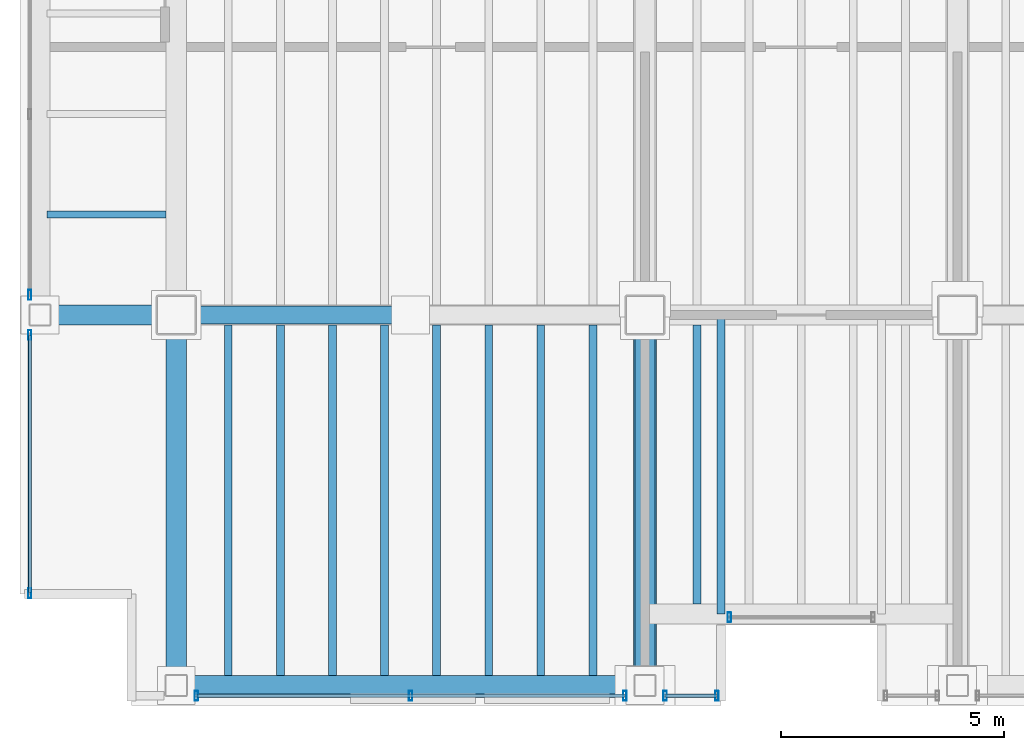
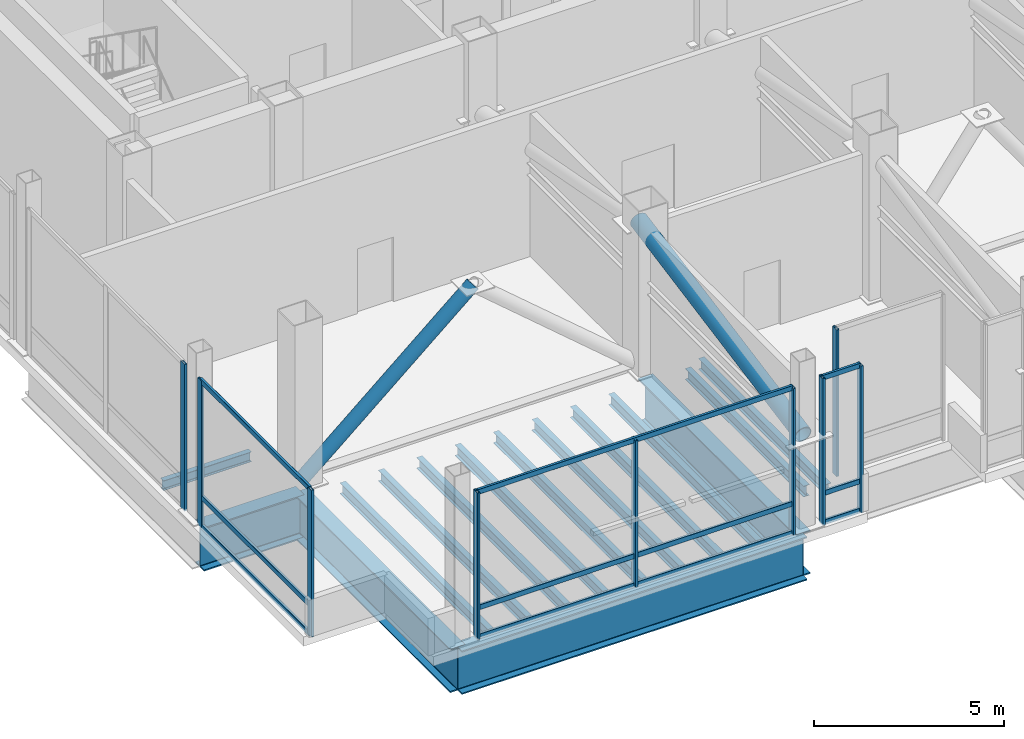
# One storey, part 2 of 18: 20 members, 15 beams, 5 elements without a shape of their own.
"""IFC4 building model written with IfcOpenShell, lengths in metres."""

from ifc_helpers import new_model, si_unit, direction, frame, origin, origin_2d, place, context, subcontext, project, spatial, hollow_rectangle, hollow_circle, i_section, extrude, material, material_profile, profile_set, type_object, element, aggregate, save


model = new_model("IFC4")

# Units and contexts
model_context = context("Model", 3, precision=1e-05, world=origin(), true_north=direction((0.0, 1.0)))
body_context = subcontext(model_context, "Body", "Model", "MODEL_VIEW")
ifc_project = project(units=[si_unit("LENGTHUNIT", "METRE"), si_unit("AREAUNIT", "SQUARE_METRE"), si_unit("VOLUMEUNIT", "CUBIC_METRE"), si_unit("PLANEANGLEUNIT", "RADIAN"), si_unit("MASSUNIT", "GRAM", prefix="KILO")], contexts=[model_context])

# Site, building, storey
site_placement = place(None, origin())
site = spatial("IfcSite", under=ifc_project, at=site_placement, CompositionType="ELEMENT")
building_placement = place(site_placement, origin())
building = spatial("IfcBuilding", under=site, at=building_placement, Name="Noeulbin Bourse Tower", CompositionType="ELEMENT")
storey_placement = place(building_placement, frame((0.0, 0.0, 200.699951171875)))
storey = spatial("IfcBuildingStorey", under=building, at=storey_placement, Name="L50", CompositionType="ELEMENT", Elevation=200.699951171875)

# Beams
ifc_material_1 = material(Name="Steel S355", Category="steel")
ifc_material_profile_1 = material_profile(ifc_material_1, i_section(OverallWidth=0.159912109375, OverallDepth=0.320068359375, WebThickness=0.006591796875, FlangeThickness=0.010009765625, FilletRadius=0.012939453125, at=origin_2d()), Name="H-320x160x6.5x10", Category="LoadBearing")
ifc_profile_set_1 = profile_set([ifc_material_profile_1], Name="Steel S355")
beam_type_1 = type_object("IfcBeamType", Name="BM-JST-320", PredefinedType="JOIST", material=ifc_profile_set_1)
beam_1_placement = place(storey_placement, frame((10.60009765625, 22.25, -0.4599609375), z_axis=(1.0, 0.0, 0.0), x_axis=(0.0, 1.0, 0.0)))
element("IfcBeam", 1, at=beam_1_placement, inside=storey, type_object=beam_type_1, Name="Wing Composite Joist L50-W47", PredefinedType="JOIST", context=body_context, shape_type="SweptSolid", body=[
    extrude(i_section(OverallWidth=0.159912109375, OverallDepth=0.320068359375, WebThickness=0.006591796875, FlangeThickness=0.010009765625, FilletRadius=0.012939453125, at=origin_2d()), origin(), (0.0, 0.0, 1.0), 2.6748046875),
])
ifc_material_profile_2 = material_profile(ifc_material_1, i_section(OverallWidth=0.175048828125, OverallDepth=0.35009765625, WebThickness=0.007080078125, FlangeThickness=0.010986328125, FilletRadius=0.013916015625, at=origin_2d()), Name="H-350x175x7x11", Category="LoadBearing")
ifc_profile_set_2 = profile_set([ifc_material_profile_2], Name="Steel S355")
beam_type_2 = type_object("IfcBeamType", Name="BM-JST-350", PredefinedType="JOIST", material=ifc_profile_set_2)
beam_2_placement = place(storey_placement, frame((25.699951171875, 13.300048828125, -0.474853515625), z_axis=(0.0, 1.0, 0.0), x_axis=(-1.0, 0.0, 0.0)))
element("IfcBeam", 2, at=beam_2_placement, inside=storey, type_object=beam_type_2, Name="BM-L50-SRT-W", PredefinedType="JOIST", context=body_context, shape_type="SweptSolid", body=[
    extrude(i_section(OverallWidth=0.175048828125, OverallDepth=0.35009765625, WebThickness=0.007080078125, FlangeThickness=0.010986328125, FilletRadius=0.013916015625, at=origin_2d()), origin(), (0.0, 0.0, 1.0), 6.699951171875),
])
for number, where, z_axis, x_axis, name in (
    (3, (14.666748046875, 11.925048828125, -0.474853515625), (0.0, 1.0, 0.0), (-1.0, 0.0, 0.0), "Tower Composite Joist L50-01"),
    (4, (15.833251953125, 11.925048828125, -0.474853515625), (0.0, 1.0, 0.0), (-1.0, 0.0, 0.0), "Tower Composite Joist L50-03"),
    (5, (17.0, 11.925048828125, -0.474853515625), (0.0, 1.0, 0.0), (-1.0, 0.0, 0.0), "Tower Composite Joist L50-05"),
    (6, (18.166748046875, 11.925048828125, -0.474853515625), (0.0, 1.0, 0.0), (-1.0, 0.0, 0.0), "Tower Composite Joist L50-07"),
    (7, (19.333251953125, 11.925048828125, -0.474853515625), (0.0, 1.0, 0.0), (-1.0, 0.0, 0.0), "Tower Composite Joist L50-09"),
    (8, (20.5, 11.925048828125, -0.474853515625), (0.0, 1.0, 0.0), (-1.0, 0.0, 0.0), "Tower Composite Joist L50-11"),
    (9, (21.666748046875, 11.925048828125, -0.474853515625), (0.0, 1.0, 0.0), (-1.0, 0.0, 0.0), "Tower Composite Joist L50-13"),
    (10, (22.833251953125, 11.925048828125, -0.474853515625), (0.0, 1.0, 0.0), (-1.0, 0.0, 0.0), "Tower Composite Joist L50-15"),
):
    element("IfcBeam", number, at=place(storey_placement, frame(where, z_axis=z_axis, x_axis=x_axis)), inside=storey, type_object=beam_type_2, Name=name, PredefinedType="JOIST", context=body_context, shape_type="SweptSolid", body=[
        extrude(i_section(OverallWidth=0.175048828125, OverallDepth=0.35009765625, WebThickness=0.007080078125, FlangeThickness=0.010986328125, FilletRadius=0.013916015625, at=origin_2d()), origin(), (0.0, 0.0, 1.0), 7.849853515625),
    ])
beam_3_placement = place(storey_placement, frame((25.166748046875, 13.52490234375, -0.474853515625), z_axis=(0.0, 1.0, 0.0), x_axis=(-1.0, 0.0, 0.0)))
element("IfcBeam", 11, at=beam_3_placement, inside=storey, type_object=beam_type_2, Name="Tower Composite Joist L50-17", PredefinedType="JOIST", context=body_context, shape_type="SweptSolid", body=[
    extrude(i_section(OverallWidth=0.175048828125, OverallDepth=0.35009765625, WebThickness=0.007080078125, FlangeThickness=0.010986328125, FilletRadius=0.013916015625, at=origin_2d()), origin(), (0.0, 0.0, 1.0), 6.25),
])
ifc_material_2 = material(Name="Steel S460", Category="steel")
ifc_material_profile_3 = material_profile(ifc_material_2, i_section(OverallWidth=0.449951171875, OverallDepth=1.39990234375, WebThickness=0.02392578125, FlangeThickness=0.0400390625, FilletRadius=0.02392578125, at=origin_2d()), Name="PG-1400x450x24x40", Category="LoadBearing")
ifc_profile_set_3 = profile_set([ifc_material_profile_3], Name="Steel S460")
beam_type_3 = type_object("IfcBeamType", Name="BM-TRF-1400", PredefinedType="USERDEFINED", material=ifc_profile_set_3)
beam_4_placement = place(storey_placement, frame((10.449951171875, 20.0, -1.0), z_axis=(1.0, 0.0, 0.0), x_axis=(0.0, 1.0, 0.0)))
element("IfcBeam", 12, at=beam_4_placement, inside=storey, type_object=beam_type_3, Name="Tower Primary Girder EW L50-1.1", ObjectType="GIRDER", PredefinedType="USERDEFINED", context=body_context, shape_type="SweptSolid", body=[
    extrude(i_section(OverallWidth=0.449951171875, OverallDepth=1.39990234375, WebThickness=0.02392578125, FlangeThickness=0.0400390625, FilletRadius=0.02392578125, at=origin_2d()), origin(), (0.0, 0.0, 1.0), 3.050048828125),
])
for number, where, z_axis, x_axis, name in (
    (13, (13.5, 11.699951171875, -1.0), (0.0, 1.0, 0.0), (-1.0, 0.0, 0.0), "Tower Primary Girder NS L50-1.1"),
    (14, (24.0, 11.699951171875, -1.0), (0.0, 1.0, 0.0), (-1.0, 0.0, 0.0), "Tower Primary Girder NS L50-2.1"),
):
    element("IfcBeam", number, at=place(storey_placement, frame(where, z_axis=z_axis, x_axis=x_axis)), inside=storey, type_object=beam_type_3, Name=name, ObjectType="GIRDER", PredefinedType="USERDEFINED", context=body_context, shape_type="SweptSolid", body=[
        extrude(i_section(OverallWidth=0.449951171875, OverallDepth=1.39990234375, WebThickness=0.02392578125, FlangeThickness=0.0400390625, FilletRadius=0.02392578125, at=origin_2d()), origin(), (0.0, 0.0, 1.0), 8.300048828125),
    ])
beam_5_placement = place(storey_placement, frame((13.5, 11.699951171875, -1.0), z_axis=(1.0, 0.0, 0.0), x_axis=(0.0, 1.0, 0.0)))
element("IfcBeam", 15, at=beam_5_placement, inside=storey, type_object=beam_type_3, Name="South Spandrel L50-1", ObjectType="GIRDER", PredefinedType="USERDEFINED", context=body_context, shape_type="SweptSolid", body=[
    extrude(i_section(OverallWidth=0.449951171875, OverallDepth=1.39990234375, WebThickness=0.02392578125, FlangeThickness=0.0400390625, FilletRadius=0.02392578125, at=origin_2d()), origin(), (0.0, 0.0, 1.0), 10.5),
])

# Curtain wall, member
ifc_material_3 = material(Name="Translucent Ceramic-Fritted Glass", Category="glass")
curtain_wall_type = type_object("IfcCurtainWallType", Name="CW-SYS-5", PredefinedType="NOTDEFINED", material=ifc_material_3)
curtain_wall_1_placement = place(storey_placement, origin())
curtain_wall_1 = element("IfcCurtainWall", 16, at=curtain_wall_1_placement, inside=storey, type_object=curtain_wall_type, Name="Unitised Curtain Wall CW-L50-SREC", PredefinedType="NOTDEFINED")
ifc_material_4 = material(Name="Anodised Aluminium 6063-T6", Category="aluminium")
ifc_material_profile_4 = material_profile(ifc_material_4, hollow_rectangle(XDim=0.074951171875, YDim=0.219970703125, WallThickness=0.0048828125, InnerFilletRadius=0.00244140625, OuterFilletRadius=0.0048828125, at=origin_2d()), Name="ALU-MULL-75x220x5", Category="LoadBearing")
ifc_profile_set_4 = profile_set([ifc_material_profile_4], Name="Anodised Aluminium 6063-T6")
member_type_1 = type_object("IfcMemberType", Name="CW-SYS-5-MUL", PredefinedType="MULLION", material=ifc_profile_set_4)
member_1_placement = place(storey_placement, frame((25.889892578125, 13.22998046875, -0.02001953125), z_axis=(0.0, 0.0, 1.0), x_axis=(1.0, 0.0, 0.0)))
member_1 = element("IfcMember", 17, at=member_1_placement, type_object=member_type_1, Name="Curtain Wall Mullion CW-L50-SREC-M00", PredefinedType="MULLION", context=body_context, shape_type="SweptSolid", body=[
    extrude(hollow_rectangle(XDim=0.074951171875, YDim=0.219970703125, WallThickness=0.0048828125, InnerFilletRadius=0.00244140625, OuterFilletRadius=0.0048828125, at=origin_2d()), origin(), (0.0, 0.0, 1.0), 4.719970703125),
])
aggregate(curtain_wall_1, [member_1])

# Curtain wall, members
curtain_wall_2_placement = place(storey_placement, origin())
curtain_wall_2 = element("IfcCurtainWall", 18, at=curtain_wall_2_placement, inside=storey, type_object=curtain_wall_type, Name="Unitised Curtain Wall CW-L50-S1-S1", PredefinedType="NOTDEFINED")
member_2_placement = place(storey_placement, frame((13.949951171875, 11.469970703125, -0.02001953125), z_axis=(0.0, 0.0, 1.0), x_axis=(1.0, 0.0, 0.0)))
member_2 = element("IfcMember", 19, at=member_2_placement, type_object=member_type_1, Name="Curtain Wall Mullion CW-L50-S1-S1-M00", PredefinedType="MULLION", context=body_context, shape_type="SweptSolid", body=[
    extrude(hollow_rectangle(XDim=0.074951171875, YDim=0.219970703125, WallThickness=0.0048828125, InnerFilletRadius=0.00244140625, OuterFilletRadius=0.0048828125, at=origin_2d()), origin(), (0.0, 0.0, 1.0), 4.719970703125),
])
member_3_placement = place(storey_placement, frame((18.75, 11.469970703125, -0.02001953125), z_axis=(0.0, 0.0, 1.0), x_axis=(1.0, 0.0, 0.0)))
member_3 = element("IfcMember", 20, at=member_3_placement, type_object=member_type_1, Name="Curtain Wall Mullion CW-L50-S1-S1-M01", PredefinedType="MULLION", context=body_context, shape_type="SweptSolid", body=[
    extrude(hollow_rectangle(XDim=0.074951171875, YDim=0.219970703125, WallThickness=0.0048828125, InnerFilletRadius=0.00244140625, OuterFilletRadius=0.0048828125, at=origin_2d()), origin(), (0.0, 0.0, 1.0), 4.719970703125),
])
member_4_placement = place(storey_placement, frame((23.550048828125, 11.469970703125, -0.02001953125), z_axis=(0.0, 0.0, 1.0), x_axis=(1.0, 0.0, 0.0)))
member_4 = element("IfcMember", 21, at=member_4_placement, type_object=member_type_1, Name="Curtain Wall Mullion CW-L50-S1-S1-M02", PredefinedType="MULLION", context=body_context, shape_type="SweptSolid", body=[
    extrude(hollow_rectangle(XDim=0.074951171875, YDim=0.219970703125, WallThickness=0.0048828125, InnerFilletRadius=0.00244140625, OuterFilletRadius=0.0048828125, at=origin_2d()), origin(), (0.0, 0.0, 1.0), 4.719970703125),
])

curtain_wall_3_placement = place(storey_placement, origin())
curtain_wall_3 = element("IfcCurtainWall", 22, at=curtain_wall_3_placement, inside=storey, type_object=curtain_wall_type, Name="Unitised Curtain Wall CW-L50-S1-S2", PredefinedType="NOTDEFINED")
member_5_placement = place(storey_placement, frame((24.449951171875, 11.469970703125, -0.02001953125), z_axis=(0.0, 0.0, 1.0), x_axis=(1.0, 0.0, 0.0)))
member_5 = element("IfcMember", 23, at=member_5_placement, type_object=member_type_1, Name="Curtain Wall Mullion CW-L50-S1-S2-M00", PredefinedType="MULLION", context=body_context, shape_type="SweptSolid", body=[
    extrude(hollow_rectangle(XDim=0.074951171875, YDim=0.219970703125, WallThickness=0.0048828125, InnerFilletRadius=0.00244140625, OuterFilletRadius=0.0048828125, at=origin_2d()), origin(), (0.0, 0.0, 1.0), 4.719970703125),
])
member_6_placement = place(storey_placement, frame((25.610107421875, 11.469970703125, -0.02001953125), z_axis=(0.0, 0.0, 1.0), x_axis=(1.0, 0.0, 0.0)))
member_6 = element("IfcMember", 24, at=member_6_placement, type_object=member_type_1, Name="Curtain Wall Mullion CW-L50-S1-S2-M01", PredefinedType="MULLION", context=body_context, shape_type="SweptSolid", body=[
    extrude(hollow_rectangle(XDim=0.074951171875, YDim=0.219970703125, WallThickness=0.0048828125, InnerFilletRadius=0.00244140625, OuterFilletRadius=0.0048828125, at=origin_2d()), origin(), (0.0, 0.0, 1.0), 4.719970703125),
])

curtain_wall_4_placement = place(storey_placement, origin())
curtain_wall_4 = element("IfcCurtainWall", 25, at=curtain_wall_4_placement, inside=storey, type_object=curtain_wall_type, Name="Unitised Curtain Wall CW-L50-W-S1", PredefinedType="NOTDEFINED")
member_7_placement = place(storey_placement, frame((10.219970703125, 13.77001953125, -0.02001953125), z_axis=(0.0, 0.0, 1.0), x_axis=(1.0, 0.0, 0.0)))
member_7 = element("IfcMember", 26, at=member_7_placement, type_object=member_type_1, Name="Curtain Wall Mullion CW-L50-W-S1-M00", PredefinedType="MULLION", context=body_context, shape_type="SweptSolid", body=[
    extrude(hollow_rectangle(XDim=0.074951171875, YDim=0.219970703125, WallThickness=0.0048828125, InnerFilletRadius=0.00244140625, OuterFilletRadius=0.0048828125, at=origin_2d()), origin(), (0.0, 0.0, 1.0), 4.719970703125),
])
member_8_placement = place(storey_placement, frame((10.219970703125, 19.550048828125, -0.02001953125), z_axis=(0.0, 0.0, 1.0), x_axis=(1.0, 0.0, 0.0)))
member_8 = element("IfcMember", 27, at=member_8_placement, type_object=member_type_1, Name="Curtain Wall Mullion CW-L50-W-S1-M01", PredefinedType="MULLION", context=body_context, shape_type="SweptSolid", body=[
    extrude(hollow_rectangle(XDim=0.074951171875, YDim=0.219970703125, WallThickness=0.0048828125, InnerFilletRadius=0.00244140625, OuterFilletRadius=0.0048828125, at=origin_2d()), origin(), (0.0, 0.0, 1.0), 4.719970703125),
])

# Curtain wall, member
curtain_wall_5_placement = place(storey_placement, origin())
curtain_wall_5 = element("IfcCurtainWall", 28, at=curtain_wall_5_placement, inside=storey, type_object=curtain_wall_type, Name="Unitised Curtain Wall CW-L50-W-S2", PredefinedType="NOTDEFINED")
member_9_placement = place(storey_placement, frame((10.219970703125, 20.449951171875, -0.02001953125), z_axis=(0.0, 0.0, 1.0), x_axis=(1.0, 0.0, 0.0)))
member_9 = element("IfcMember", 29, at=member_9_placement, type_object=member_type_1, Name="Curtain Wall Mullion CW-L50-W-S2-M00", PredefinedType="MULLION", context=body_context, shape_type="SweptSolid", body=[
    extrude(hollow_rectangle(XDim=0.074951171875, YDim=0.219970703125, WallThickness=0.0048828125, InnerFilletRadius=0.00244140625, OuterFilletRadius=0.0048828125, at=origin_2d()), origin(), (0.0, 0.0, 1.0), 4.719970703125),
])
aggregate(curtain_wall_5, [member_9])

# Member
ifc_material_profile_5 = material_profile(ifc_material_4, hollow_rectangle(XDim=0.074951171875, YDim=0.159912109375, WallThickness=0.0048828125, InnerFilletRadius=0.00244140625, OuterFilletRadius=0.0048828125, at=origin_2d()), Name="ALU-TRAN-75x160x5", Category="LoadBearing")
ifc_profile_set_5 = profile_set([ifc_material_profile_5], Name="Anodised Aluminium 6063-T6")
member_type_2 = type_object("IfcMemberType", Name="CW-SYS-5-TRN", PredefinedType="USERDEFINED", material=ifc_profile_set_5)
member_10_placement = place(storey_placement, frame((13.9599609375, 11.469970703125, 0.010009765625), z_axis=(1.0, 0.0, 0.0), x_axis=(0.0, 1.0, 0.0)))
member_10 = element("IfcMember", 30, at=member_10_placement, type_object=member_type_2, Name="Curtain Wall Transom CW-L50-S1-S1-T00", ObjectType="TRANSOM", PredefinedType="USERDEFINED", context=body_context, shape_type="SweptSolid", body=[
    extrude(hollow_rectangle(XDim=0.074951171875, YDim=0.159912109375, WallThickness=0.0048828125, InnerFilletRadius=0.00244140625, OuterFilletRadius=0.0048828125, at=origin_2d()), origin(), (0.0, 0.0, 1.0), 9.580078125),
])

member_11_placement = place(storey_placement, frame((13.9599609375, 11.469970703125, 0.949951171875), z_axis=(1.0, 0.0, 0.0), x_axis=(0.0, 1.0, 0.0)))
member_11 = element("IfcMember", 31, at=member_11_placement, type_object=member_type_2, Name="Curtain Wall Transom CW-L50-S1-S1-T01", ObjectType="TRANSOM", PredefinedType="USERDEFINED", context=body_context, shape_type="SweptSolid", body=[
    extrude(hollow_rectangle(XDim=0.074951171875, YDim=0.159912109375, WallThickness=0.0048828125, InnerFilletRadius=0.00244140625, OuterFilletRadius=0.0048828125, at=origin_2d()), origin(), (0.0, 0.0, 1.0), 9.580078125),
])

member_12_placement = place(storey_placement, frame((13.9599609375, 11.469970703125, 4.670166015625), z_axis=(1.0, 0.0, 0.0), x_axis=(0.0, 1.0, 0.0)))
member_12 = element("IfcMember", 32, at=member_12_placement, type_object=member_type_2, Name="Curtain Wall Transom CW-L50-S1-S1-T02", ObjectType="TRANSOM", PredefinedType="USERDEFINED", context=body_context, shape_type="SweptSolid", body=[
    extrude(hollow_rectangle(XDim=0.074951171875, YDim=0.159912109375, WallThickness=0.0048828125, InnerFilletRadius=0.00244140625, OuterFilletRadius=0.0048828125, at=origin_2d()), origin(), (0.0, 0.0, 1.0), 9.580078125),
])

aggregate(curtain_wall_2, [member_2, member_3, member_4, member_10, member_11, member_12])

member_13_placement = place(storey_placement, frame((24.4599609375, 11.469970703125, 0.010009765625), z_axis=(1.0, 0.0, 0.0), x_axis=(0.0, 1.0, 0.0)))
member_13 = element("IfcMember", 33, at=member_13_placement, type_object=member_type_2, Name="Curtain Wall Transom CW-L50-S1-S2-T00", ObjectType="TRANSOM", PredefinedType="USERDEFINED", context=body_context, shape_type="SweptSolid", body=[
    extrude(hollow_rectangle(XDim=0.074951171875, YDim=0.159912109375, WallThickness=0.0048828125, InnerFilletRadius=0.00244140625, OuterFilletRadius=0.0048828125, at=origin_2d()), origin(), (0.0, 0.0, 1.0), 1.14013671875),
])

member_14_placement = place(storey_placement, frame((24.4599609375, 11.469970703125, 0.949951171875), z_axis=(1.0, 0.0, 0.0), x_axis=(0.0, 1.0, 0.0)))
member_14 = element("IfcMember", 34, at=member_14_placement, type_object=member_type_2, Name="Curtain Wall Transom CW-L50-S1-S2-T01", ObjectType="TRANSOM", PredefinedType="USERDEFINED", context=body_context, shape_type="SweptSolid", body=[
    extrude(hollow_rectangle(XDim=0.074951171875, YDim=0.159912109375, WallThickness=0.0048828125, InnerFilletRadius=0.00244140625, OuterFilletRadius=0.0048828125, at=origin_2d()), origin(), (0.0, 0.0, 1.0), 1.14013671875),
])

member_15_placement = place(storey_placement, frame((24.4599609375, 11.469970703125, 4.670166015625), z_axis=(1.0, 0.0, 0.0), x_axis=(0.0, 1.0, 0.0)))
member_15 = element("IfcMember", 35, at=member_15_placement, type_object=member_type_2, Name="Curtain Wall Transom CW-L50-S1-S2-T02", ObjectType="TRANSOM", PredefinedType="USERDEFINED", context=body_context, shape_type="SweptSolid", body=[
    extrude(hollow_rectangle(XDim=0.074951171875, YDim=0.159912109375, WallThickness=0.0048828125, InnerFilletRadius=0.00244140625, OuterFilletRadius=0.0048828125, at=origin_2d()), origin(), (0.0, 0.0, 1.0), 1.14013671875),
])

aggregate(curtain_wall_3, [member_5, member_6, member_13, member_14, member_15])

member_16_placement = place(storey_placement, frame((10.219970703125, 13.780029296875, 0.010009765625), z_axis=(0.0, 1.0, 0.0), x_axis=(-1.0, 0.0, 0.0)))
member_16 = element("IfcMember", 36, at=member_16_placement, type_object=member_type_2, Name="Curtain Wall Transom CW-L50-W-S1-T00", ObjectType="TRANSOM", PredefinedType="USERDEFINED", context=body_context, shape_type="SweptSolid", body=[
    extrude(hollow_rectangle(XDim=0.074951171875, YDim=0.159912109375, WallThickness=0.0048828125, InnerFilletRadius=0.00244140625, OuterFilletRadius=0.0048828125, at=origin_2d()), origin(), (0.0, 0.0, 1.0), 5.760009765625),
])

member_17_placement = place(storey_placement, frame((10.219970703125, 13.780029296875, 0.949951171875), z_axis=(0.0, 1.0, 0.0), x_axis=(-1.0, 0.0, 0.0)))
member_17 = element("IfcMember", 37, at=member_17_placement, type_object=member_type_2, Name="Curtain Wall Transom CW-L50-W-S1-T01", ObjectType="TRANSOM", PredefinedType="USERDEFINED", context=body_context, shape_type="SweptSolid", body=[
    extrude(hollow_rectangle(XDim=0.074951171875, YDim=0.159912109375, WallThickness=0.0048828125, InnerFilletRadius=0.00244140625, OuterFilletRadius=0.0048828125, at=origin_2d()), origin(), (0.0, 0.0, 1.0), 5.760009765625),
])

member_18_placement = place(storey_placement, frame((10.219970703125, 13.780029296875, 4.670166015625), z_axis=(0.0, 1.0, 0.0), x_axis=(-1.0, 0.0, 0.0)))
member_18 = element("IfcMember", 38, at=member_18_placement, type_object=member_type_2, Name="Curtain Wall Transom CW-L50-W-S1-T02", ObjectType="TRANSOM", PredefinedType="USERDEFINED", context=body_context, shape_type="SweptSolid", body=[
    extrude(hollow_rectangle(XDim=0.074951171875, YDim=0.159912109375, WallThickness=0.0048828125, InnerFilletRadius=0.00244140625, OuterFilletRadius=0.0048828125, at=origin_2d()), origin(), (0.0, 0.0, 1.0), 5.760009765625),
])

aggregate(curtain_wall_4, [member_7, member_8, member_16, member_17, member_18])

# Members
ifc_material_profile_6 = material_profile(ifc_material_1, hollow_circle(Radius=0.203125, WallThickness=0.01611328125, at=origin_2d()), Name="CHS-406.4x16.0", Category="LoadBearing")
ifc_profile_set_6 = profile_set([ifc_material_profile_6], Name="Steel S355")
member_type_3 = type_object("IfcMemberType", Name="MEM-BLT-406", PredefinedType="BRACE", material=ifc_profile_set_6)
member_19_placement = place(storey_placement, frame((13.5, 20.0, 0.010009765625), z_axis=(0.759972109263, 0.0, 0.649955685522), x_axis=(0.0, 1.0, 0.0)))
element("IfcMember", 39, at=member_19_placement, inside=storey, type_object=member_type_3, Name="Interior Spine Belt Diagonal BT-L50-1A", PredefinedType="BRACE", context=body_context, shape_type="SweptSolid", body=[
    extrude(hollow_circle(Radius=0.203125, WallThickness=0.01611328125, at=origin_2d()), origin(), (0.0, 0.0, 1.0), 6.908203125),
])
ifc_material_profile_7 = material_profile(ifc_material_2, hollow_circle(Radius=0.25390625, WallThickness=0.02197265625, at=origin_2d()), Name="CHS-508.0x22.0", Category="LoadBearing")
ifc_profile_set_7 = profile_set([ifc_material_profile_7], Name="Steel S460")
member_type_4 = type_object("IfcMemberType", Name="MEM-OUT-508", PredefinedType="BRACE", material=ifc_profile_set_7)
member_20_placement = place(storey_placement, frame((24.0, 20.35009765625, 4.5), z_axis=(0.0, -0.982291459015, -0.187359252632), x_axis=(1.0, 0.0, 0.0)))
element("IfcMember", 40, at=member_20_placement, inside=storey, type_object=member_type_4, Name="Outrigger Truss Diagonal OT-L50-1B", PredefinedType="BRACE", context=body_context, shape_type="SweptSolid", body=[
    extrude(hollow_circle(Radius=0.25390625, WallThickness=0.02197265625, at=origin_2d()), origin(), (0.0, 0.0, 1.0), 8.80615234375),
])

save(model, "model.ifc")
